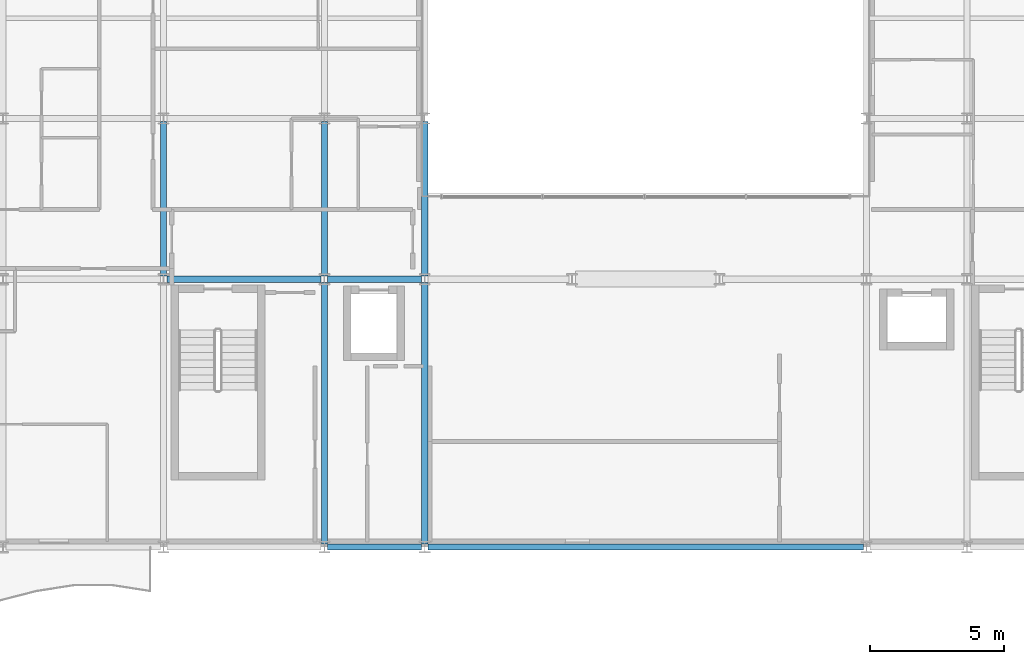
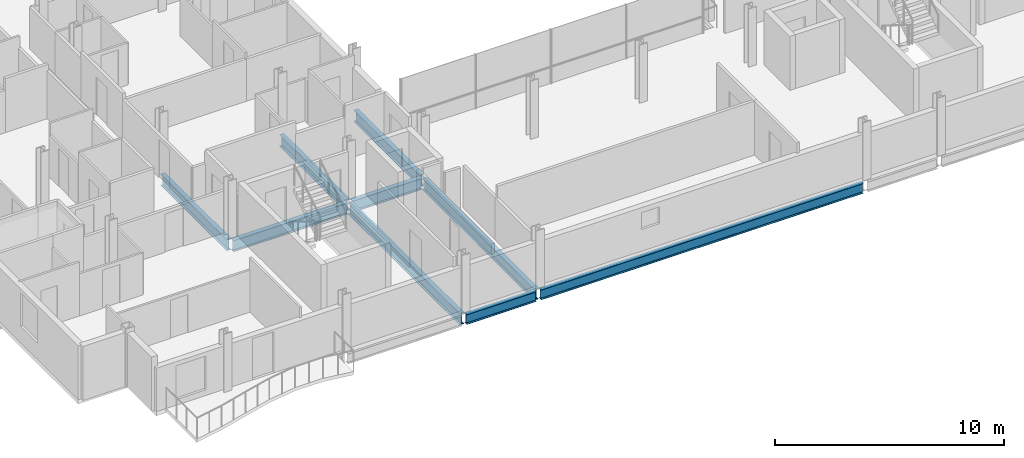
# One storey, part 3 of 40: 9 beams.
"""IFC4 building model written with IfcOpenShell, lengths in metres."""

import ifcopenshell
import ifcopenshell.guid

model = None  # the IFC model being written
_history = None  # IfcOwnerHistory: only IFC2X3 demands one
_inside = {}  # id of a spatial element -> (the spatial element, [elements in it])
_under = {}  # id of a project, library or spatial element -> (it, [spatial elements below it])
_declared = {}  # id of a project -> (the project, [libraries it declares])
_typed = {}  # id of a type object -> (the type object, [elements of that type])
_made_of = {}  # id of a material, layer set ... -> (it, [elements and type objects made of it])


def new_model(schema):
    """Start an empty IFC model of exactly this schema.

    Asked for "IFC4X3", IfcOpenShell would pick the latest addendum, in which some entities
    have other attributes; the version numbers below select the first issue.
    IFC2X3 requires an IfcOwnerHistory on every rooted entity: one is made here for all.
    """
    global model, _history
    if schema == "IFC4X3":
        model = ifcopenshell.file(schema_version=(4, 3, 0, 0))
    else:
        model = ifcopenshell.file(schema=schema)
    _inside.clear()
    _under.clear()
    _declared.clear()
    _typed.clear()
    _made_of.clear()
    _history = None
    if model.schema == "IFC2X3":
        org = make("IfcOrganization", Name="unknown")
        user = make(
            "IfcPersonAndOrganization",
            ThePerson=make("IfcPerson", FamilyName="unknown"),
            TheOrganization=org,
        )
        app = make(
            "IfcApplication",
            ApplicationDeveloper=org,
            Version="unknown",
            ApplicationFullName="unknown",
            ApplicationIdentifier="unknown",
        )
        _history = make(
            "IfcOwnerHistory",
            OwningUser=user,
            OwningApplication=app,
            ChangeAction="ADDED",
            CreationDate=0,
        )
    return model


def make(cls, **values):
    """One entity of the class cls with the attributes given. An attribute that is None is left unset."""
    return model.create_entity(
        cls, **{name: value for name, value in values.items() if value is not None}
    )


def rooted(cls, **values):
    """An entity with a GlobalId (a new one), such as an element, a storey or a relation."""
    return make(cls, GlobalId=ifcopenshell.guid.new(), OwnerHistory=_history, **values)


def si_unit(unit_type, name, prefix=None):
    """IfcSIUnit, for example si_unit("LENGTHUNIT", "METRE", prefix="MILLI")."""
    return make("IfcSIUnit", UnitType=unit_type, Prefix=prefix, Name=name)


def assignment(units):
    """IfcUnitAssignment: the units of a project."""
    return None if units is None else make("IfcUnitAssignment", Units=units)


def point(xyz):
    """IfcCartesianPoint."""
    return None if xyz is None else make("IfcCartesianPoint", Coordinates=xyz)


def direction(xyz):
    """IfcDirection."""
    return None if xyz is None else make("IfcDirection", DirectionRatios=xyz)


def frame(location, z_axis=None, x_axis=None):
    """IfcAxis2Placement3D, a coordinate frame: its origin and axes. An axis left out is left unset."""
    return make(
        "IfcAxis2Placement3D",
        Location=point(location),
        Axis=direction(z_axis),
        RefDirection=direction(x_axis),
    )


def frame_2d(location, x_axis=None):
    """IfcAxis2Placement2D, a coordinate frame in the plane: its origin and x axis."""
    return make(
        "IfcAxis2Placement2D", Location=point(location), RefDirection=direction(x_axis)
    )


def origin():
    """The frame at (0, 0, 0) with its axes left unset."""
    return frame((0.0, 0.0, 0.0))


def origin_2d():
    """The frame at (0, 0) in the plane with its x axis left unset."""
    return frame_2d((0.0, 0.0))


def place(relative_to, where):
    """IfcLocalPlacement: puts the frame where relative to a parent placement (None: the world)."""
    return make(
        "IfcLocalPlacement", PlacementRelTo=relative_to, RelativePlacement=where
    )


def context(
    kind, dimensions, precision=None, world=None, true_north=None, identifier=None
):
    """IfcGeometricRepresentationContext, for example the 3D "Model" context."""
    return make(
        "IfcGeometricRepresentationContext",
        ContextIdentifier=identifier,
        ContextType=kind,
        CoordinateSpaceDimension=dimensions,
        Precision=precision,
        WorldCoordinateSystem=world,
        TrueNorth=true_north,
    )


def subcontext(parent, identifier, kind, view, scale=None):
    """IfcGeometricRepresentationSubContext, for example "Body" below "Model"."""
    return make(
        "IfcGeometricRepresentationSubContext",
        ContextIdentifier=identifier,
        ContextType=kind,
        ParentContext=parent,
        TargetScale=scale,
        TargetView=view,
    )


def project(units=None, contexts=None):
    """IfcProject with its units and contexts."""
    return rooted(
        "IfcProject",
        Name="project",
        RepresentationContexts=contexts,
        UnitsInContext=assignment(units),
    )


def spatial(cls, under=None, at=None, **own):
    """A site, building, storey or space (cls), placed at a placement, below another one or the project."""
    s = rooted(cls, ObjectPlacement=at, **own)
    if under is not None:
        _under.setdefault(under.id(), (under, []))[1].append(s)
    return s


def profile(cls, at=None, kind="AREA", **sizes):
    """A parametric profile (cls). Its sizes go by their IFC names, for example OverallWidth=200.0."""
    return make(cls, ProfileType=kind, Position=at, **sizes)


def i_section(**sizes):
    """IfcIShapeProfileDef."""
    return profile("IfcIShapeProfileDef", **sizes)


def extrude(swept, where, along, depth):
    """IfcExtrudedAreaSolid: the profile swept, set in the frame where, extruded along a direction by depth."""
    return make(
        "IfcExtrudedAreaSolid",
        SweptArea=swept,
        Position=where,
        ExtrudedDirection=direction(along),
        Depth=depth,
    )


def shape(context_of_items, identifier, shape_type, items):
    """IfcShapeRepresentation: the items that make up one representation, for example the "Body"."""
    return make(
        "IfcShapeRepresentation",
        ContextOfItems=context_of_items,
        RepresentationIdentifier=identifier,
        RepresentationType=shape_type,
        Items=items,
    )


def material(Name=None, Category=None):
    """IfcMaterial."""
    return make("IfcMaterial", Name=Name, Category=Category)


def material_profile(
    of_material, cross_section, Name=None, Category=None, Priority=None
):
    """IfcMaterialProfile: a cross section and its material."""
    return make(
        "IfcMaterialProfile",
        Name=Name,
        Material=of_material,
        Profile=cross_section,
        Priority=Priority,
        Category=Category,
    )


def profile_set(profiles, Name=None, composite=None):
    """IfcMaterialProfileSet."""
    return make(
        "IfcMaterialProfileSet",
        Name=Name,
        MaterialProfiles=profiles,
        CompositeProfile=composite,
    )


def made_of(thing, what):
    """Note that an element or type object is made of a material, layer set ...; save() writes the relation."""
    if what is not None:
        _made_of.setdefault(what.id(), (what, []))[1].append(thing)
    return thing


def type_object(cls, material=None, **own):
    """A type object (cls), such as IfcWallType, which elements share."""
    return made_of(rooted(cls, **own), material)


def element(
    cls,
    number,
    at=None,
    inside=None,
    cuts=None,
    type_object=None,
    material=None,
    context=None,
    identifier="Body",
    shape_type=None,
    held_by="IfcProductDefinitionShape",
    body=None,
    shapes=None,
    **own,
):
    """One element of the class cls, such as IfcWall. Its Tag is "e" and its number.

    at: its placement. inside: the storey or other place that contains it. cuts: it is an
    opening in that element (IfcRelVoidsElement). A single representation is given by context,
    identifier, shape_type and body (its items); several are given by shapes. held_by: the class
    of the entity that holds the representations. save() writes the other relations.
    """
    e = rooted(cls, Tag="e%d" % number, ObjectPlacement=at, **own)
    if body is not None:
        shapes = [shape(context, identifier, shape_type, body)]
    if shapes is not None:
        e.Representation = make(held_by, Representations=shapes)
    if inside is not None:
        _inside.setdefault(inside.id(), (inside, []))[1].append(e)
    if cuts is not None:
        rooted(
            "IfcRelVoidsElement", RelatingBuildingElement=cuts, RelatedOpeningElement=e
        )
    if type_object is not None:
        _typed.setdefault(type_object.id(), (type_object, []))[1].append(e)
    return made_of(e, material)


def aggregate(whole, parts):
    """IfcRelAggregates: a whole, such as a stair, and the parts it consists of."""
    return rooted("IfcRelAggregates", RelatingObject=whole, RelatedObjects=parts)


def save(model, path):
    """Write the relations noted so far, then the file.

    IfcRelAggregates (storeys below a building ...), IfcRelContainedInSpatialStructure (elements
    in a storey), IfcRelDefinesByType, IfcRelAssociatesMaterial and IfcRelDeclares: one each for
    every whole, place, type object, material and project.
    """
    for whole, parts in _under.values():
        aggregate(whole, parts)
    for where, things in _inside.values():
        rooted(
            "IfcRelContainedInSpatialStructure",
            RelatedElements=things,
            RelatingStructure=where,
        )
    for kind, things in _typed.values():
        rooted("IfcRelDefinesByType", RelatedObjects=things, RelatingType=kind)
    for what, things in _made_of.values():
        rooted("IfcRelAssociatesMaterial", RelatedObjects=things, RelatingMaterial=what)
    for by, libraries in _declared.values():
        rooted("IfcRelDeclares", RelatingContext=by, RelatedDefinitions=libraries)
    model.write(path)


model = new_model("IFC4")

# Units and contexts
model_context = context("Model", 3, precision=1e-05, world=origin(), true_north=direction((0.0, 1.0)))
body_context = subcontext(model_context, "Body", "Model", "MODEL_VIEW")
ifc_project = project(units=[si_unit("LENGTHUNIT", "METRE"), si_unit("AREAUNIT", "SQUARE_METRE"), si_unit("VOLUMEUNIT", "CUBIC_METRE"), si_unit("PLANEANGLEUNIT", "RADIAN"), si_unit("MASSUNIT", "GRAM", prefix="KILO")], contexts=[model_context])

# Site, building, storey
site_placement = place(None, origin())
site = spatial("IfcSite", under=ifc_project, at=site_placement, CompositionType="ELEMENT")
building_placement = place(site_placement, origin())
building = spatial("IfcBuilding", under=site, at=building_placement, Name="Brevholm Reach", CompositionType="ELEMENT")
storey_placement = place(building_placement, frame((0.0, 0.0, 125.199951171875)))
storey = spatial("IfcBuildingStorey", under=building, at=storey_placement, Name="L37", CompositionType="ELEMENT", Elevation=125.199951171875)

# Beams
ifc_material_1 = material(Name="Structural Steel S355J2", Category="steel")
ifc_material_profile_1 = material_profile(ifc_material_1, i_section(OverallWidth=0.209228515625, OverallDepth=0.533203125, WebThickness=0.010009765625, FlangeThickness=0.015625, FilletRadius=0.0126953125, at=origin_2d()), Name="UKB 533x210x92")
ifc_profile_set_1 = profile_set([ifc_material_profile_1], Name="Structural Steel S355J2")
beam_type_1 = type_object("IfcBeamType", Name="BM-SP533", PredefinedType="SPANDREL", material=ifc_profile_set_1)
beam_1_placement = place(storey_placement, frame((18.1201171875, 0.0, -0.486572265625), z_axis=(1.0, 0.0, 0.0), x_axis=(0.0, 1.0, 0.0)))
element("IfcBeam", 1, at=beam_1_placement, inside=storey, type_object=beam_type_1, Name="L37 SP-02 Framing Beam", PredefinedType="SPANDREL", context=body_context, shape_type="SweptSolid", body=[
    extrude(i_section(OverallWidth=0.209228515625, OverallDepth=0.533203125, WebThickness=0.010009765625, FlangeThickness=0.015625, FilletRadius=0.0126953125, at=origin_2d()), origin(), (0.0, 0.0, 1.0), 3.509765625),
])
beam_2_placement = place(storey_placement, frame((21.8701171875, 0.0, -0.486572265625), z_axis=(1.0, 0.0, 0.0), x_axis=(0.0, 1.0, 0.0)))
element("IfcBeam", 2, at=beam_2_placement, inside=storey, type_object=beam_type_1, Name="L37 SP-02 Framing Beam", PredefinedType="SPANDREL", context=body_context, shape_type="SweptSolid", body=[
    extrude(i_section(OverallWidth=0.209228515625, OverallDepth=0.533203125, WebThickness=0.010009765625, FlangeThickness=0.015625, FilletRadius=0.0126953125, at=origin_2d()), origin(), (0.0, 0.0, 1.0), 16.259765625),
])
ifc_material_2 = material(Name="Structural Steel S355J2", Category="steel")
ifc_material_profile_2 = material_profile(ifc_material_2, i_section(OverallWidth=0.22900390625, OverallDepth=0.6123046875, WebThickness=0.011962890625, FlangeThickness=0.01953125, FilletRadius=0.0126953125, at=origin_2d()), Name="UKB 610x229x125")
ifc_profile_set_2 = profile_set([ifc_material_profile_2], Name="Structural Steel S355J2")
beam_type_2 = type_object("IfcBeamType", Name="BM-SP610", PredefinedType="SPANDREL", material=ifc_profile_set_2)
beam_3_placement = place(storey_placement, frame((12.1201171875, 10.0, -0.526123046875), z_axis=(1.0, 0.0, 0.0), x_axis=(0.0, 1.0, 0.0)))
element("IfcBeam", 3, at=beam_3_placement, inside=storey, type_object=beam_type_2, Name="L37 SP-01 Framing Beam", PredefinedType="SPANDREL", context=body_context, shape_type="SweptSolid", body=[
    extrude(i_section(OverallWidth=0.22900390625, OverallDepth=0.6123046875, WebThickness=0.011962890625, FlangeThickness=0.01953125, FilletRadius=0.0126953125, at=origin_2d()), origin(), (0.0, 0.0, 1.0), 5.759765625),
])
beam_4_placement = place(storey_placement, frame((18.1201171875, 10.0, -0.526123046875), z_axis=(1.0, 0.0, 0.0), x_axis=(0.0, 1.0, 0.0)))
element("IfcBeam", 4, at=beam_4_placement, inside=storey, type_object=beam_type_2, Name="L37 SP-01 Framing Beam", PredefinedType="SPANDREL", context=body_context, shape_type="SweptSolid", body=[
    extrude(i_section(OverallWidth=0.22900390625, OverallDepth=0.6123046875, WebThickness=0.011962890625, FlangeThickness=0.01953125, FilletRadius=0.0126953125, at=origin_2d()), origin(), (0.0, 0.0, 1.0), 3.509765625),
])
beam_5_placement = place(storey_placement, frame((12.0, 10.1201171875, -0.526123046875), z_axis=(0.0, 1.0, 0.0), x_axis=(-1.0, 0.0, 0.0)))
element("IfcBeam", 5, at=beam_5_placement, inside=storey, type_object=beam_type_2, Name="L37 SP-01 Framing Beam", PredefinedType="SPANDREL", context=body_context, shape_type="SweptSolid", body=[
    extrude(i_section(OverallWidth=0.22900390625, OverallDepth=0.6123046875, WebThickness=0.011962890625, FlangeThickness=0.01953125, FilletRadius=0.0126953125, at=origin_2d()), origin(), (0.0, 0.0, 1.0), 5.759765625),
])
beam_6_placement = place(storey_placement, frame((18.0, 0.1201171875, -0.526123046875), z_axis=(0.0, 1.0, 0.0), x_axis=(-1.0, 0.0, 0.0)))
element("IfcBeam", 6, at=beam_6_placement, inside=storey, type_object=beam_type_2, Name="L37 SP-01 Framing Beam", PredefinedType="SPANDREL", context=body_context, shape_type="SweptSolid", body=[
    extrude(i_section(OverallWidth=0.22900390625, OverallDepth=0.6123046875, WebThickness=0.011962890625, FlangeThickness=0.01953125, FilletRadius=0.0126953125, at=origin_2d()), origin(), (0.0, 0.0, 1.0), 9.759765625),
])
beam_7_placement = place(storey_placement, frame((18.0, 10.1201171875, -0.526123046875), z_axis=(0.0, 1.0, 0.0), x_axis=(-1.0, 0.0, 0.0)))
element("IfcBeam", 7, at=beam_7_placement, inside=storey, type_object=beam_type_2, Name="L37 SP-01 Framing Beam", PredefinedType="SPANDREL", context=body_context, shape_type="SweptSolid", body=[
    extrude(i_section(OverallWidth=0.22900390625, OverallDepth=0.6123046875, WebThickness=0.011962890625, FlangeThickness=0.01953125, FilletRadius=0.0126953125, at=origin_2d()), origin(), (0.0, 0.0, 1.0), 5.759765625),
])
beam_8_placement = place(storey_placement, frame((21.75, 0.1201171875, -0.526123046875), z_axis=(0.0, 1.0, 0.0), x_axis=(-1.0, 0.0, 0.0)))
element("IfcBeam", 8, at=beam_8_placement, inside=storey, type_object=beam_type_2, Name="L37 SP-01 Framing Beam", PredefinedType="SPANDREL", context=body_context, shape_type="SweptSolid", body=[
    extrude(i_section(OverallWidth=0.22900390625, OverallDepth=0.6123046875, WebThickness=0.011962890625, FlangeThickness=0.01953125, FilletRadius=0.0126953125, at=origin_2d()), origin(), (0.0, 0.0, 1.0), 9.759765625),
])
beam_9_placement = place(storey_placement, frame((21.75, 10.1201171875, -0.526123046875), z_axis=(0.0, 1.0, 0.0), x_axis=(-1.0, 0.0, 0.0)))
element("IfcBeam", 9, at=beam_9_placement, inside=storey, type_object=beam_type_2, Name="L37 SP-01 Framing Beam", PredefinedType="SPANDREL", context=body_context, shape_type="SweptSolid", body=[
    extrude(i_section(OverallWidth=0.22900390625, OverallDepth=0.6123046875, WebThickness=0.011962890625, FlangeThickness=0.01953125, FilletRadius=0.0126953125, at=origin_2d()), origin(), (0.0, 0.0, 1.0), 5.759765625),
])

save(model, "model.ifc")
